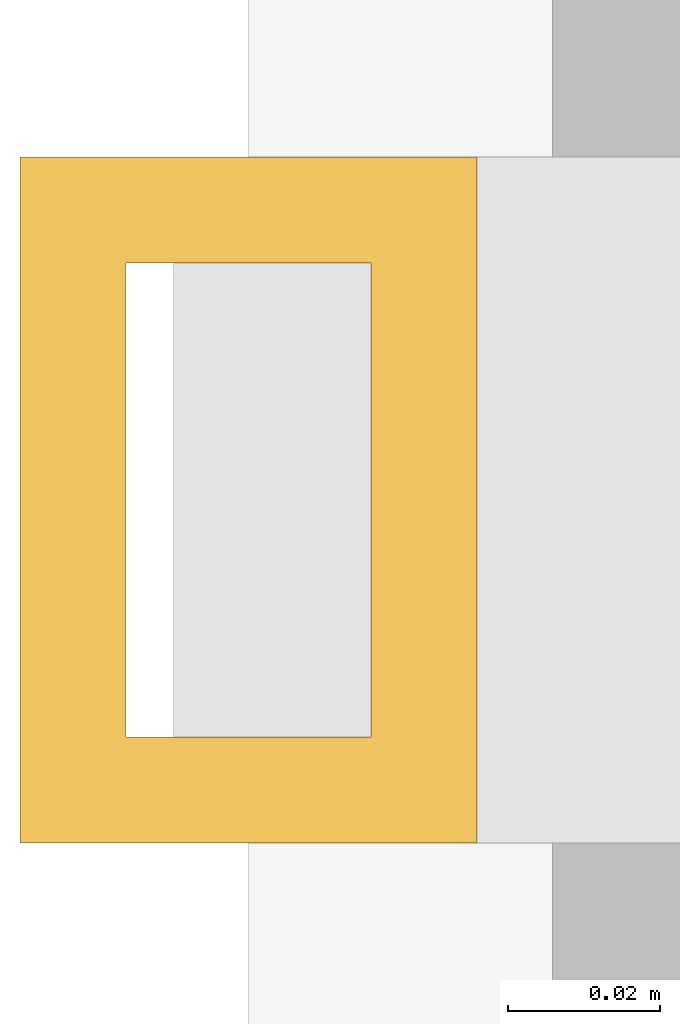
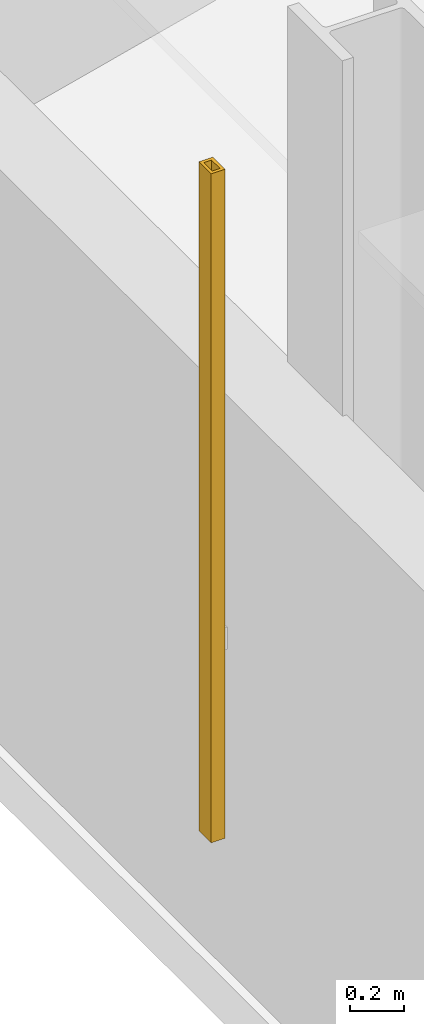
# One storey, part 47 of 51: 1 shading device.
"""IFC4 building model written with IfcOpenShell, lengths in metres."""

from ifc_helpers import new_model, si_unit, direction, frame, origin, origin_2d, place, context, subcontext, project, spatial, hollow_rectangle, extrude, material, material_profile, profile_set, type_object, element, save


model = new_model("IFC4")

# Units and contexts
model_context = context("Model", 3, precision=1e-05, world=origin(), true_north=direction((0.0, 1.0)))
body_context = subcontext(model_context, "Body", "Model", "MODEL_VIEW")
ifc_project = project(units=[si_unit("LENGTHUNIT", "METRE"), si_unit("AREAUNIT", "SQUARE_METRE"), si_unit("VOLUMEUNIT", "CUBIC_METRE"), si_unit("PLANEANGLEUNIT", "RADIAN"), si_unit("MASSUNIT", "GRAM", prefix="KILO")], contexts=[model_context])

# Site, building, storey
site_placement = place(None, origin())
site = spatial("IfcSite", under=ifc_project, at=site_placement, CompositionType="ELEMENT")
building_placement = place(site_placement, origin())
building = spatial("IfcBuilding", under=site, at=building_placement, Name="Punatoya Terracotta Tower", CompositionType="ELEMENT")
storey_placement = place(building_placement, frame((0.0, 0.0, 313.199951171875)))
storey = spatial("IfcBuildingStorey", under=building, at=storey_placement, Name="L74", CompositionType="ELEMENT", Elevation=313.199951171875)

# Shading device
ifc_material = material(Name="Architectural Fired Terracotta", Category="masonry")
ifc_material_profile = material_profile(ifc_material, hollow_rectangle(XDim=0.06005859375, YDim=0.090087890625, WallThickness=0.013916015625, at=origin_2d()))
ifc_profile_set = profile_set([ifc_material_profile], Name="Architectural Fired Terracotta")
shading_device_type = type_object("IfcShadingDeviceType", Name="SHD-JALI-90", PredefinedType="JALOUSIE", material=ifc_profile_set)
shading_device_placement = place(storey_placement, frame((-25.050048828125, 17.66845703125, 0.60009765625), z_axis=(0.0, 0.0, 1.0), x_axis=(1.0, 0.0, 0.0)))
element("IfcShadingDevice", 1, at=shading_device_placement, inside=storey, type_object=shading_device_type, Name="L74 Braced Bay Terracotta Jali Fin W1", PredefinedType="JALOUSIE", context=body_context, shape_type="SweptSolid", body=[
    extrude(hollow_rectangle(XDim=0.06005859375, YDim=0.090087890625, WallThickness=0.013916015625, at=origin_2d()), origin(), (0.0, 0.0, 1.0), 3.02001953125),
])

save(model, "model.ifc")
